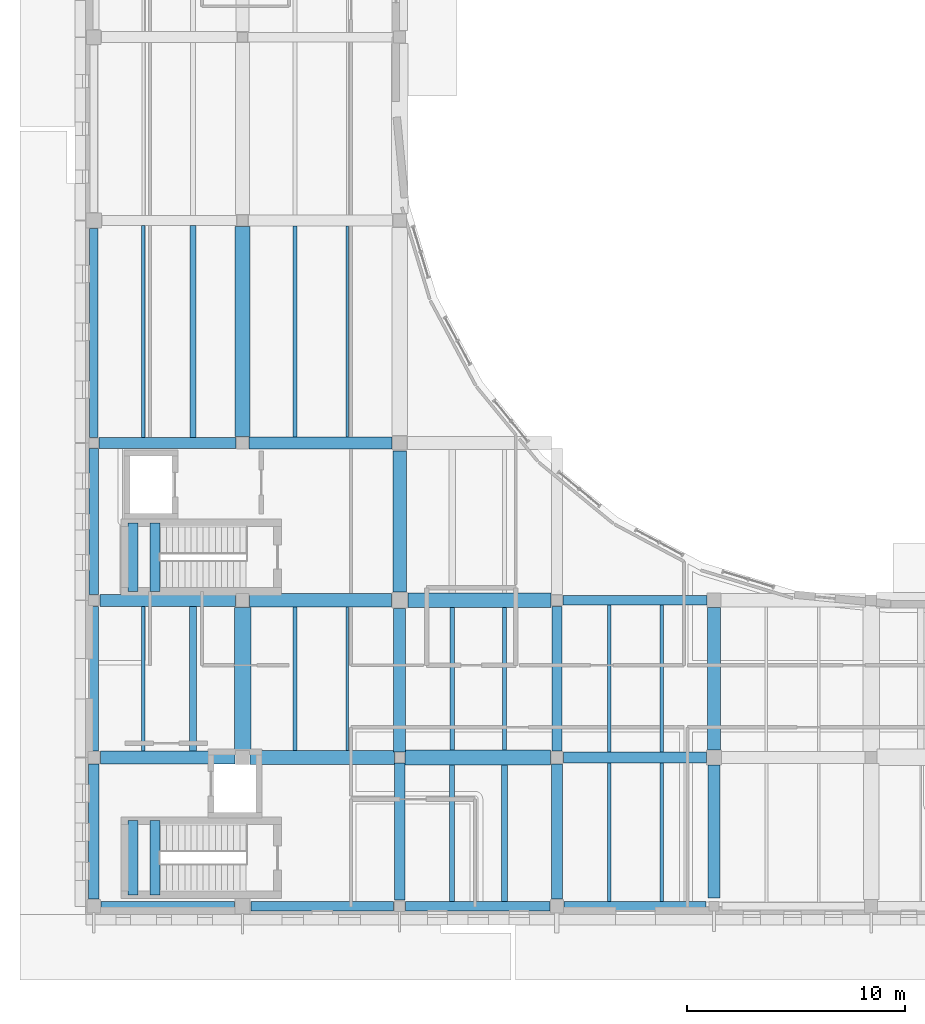
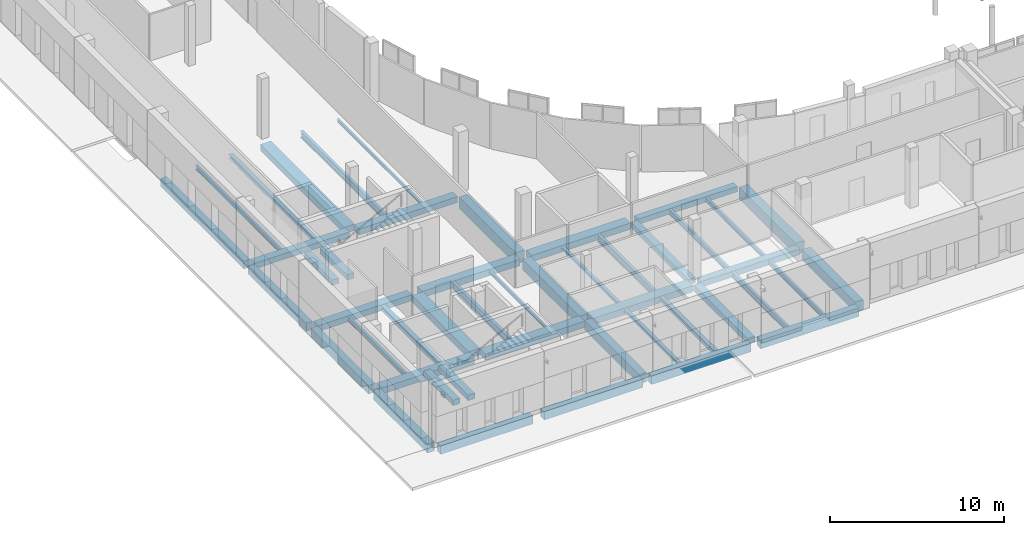
# One storey, part 7 of 77: 47 beams.
"""IFC4 building model written with IfcOpenShell, lengths in metres."""

from ifc_helpers import new_model, si_unit, direction, frame, origin, origin_2d, place, context, subcontext, project, spatial, rectangle, i_section, extrude, material, material_profile, profile_set, type_object, element, save


model = new_model("IFC4")

# Units and contexts
model_context = context("Model", 3, precision=1e-05, world=origin(), true_north=direction((0.0, 1.0)))
body_context = subcontext(model_context, "Body", "Model", "MODEL_VIEW")
ifc_project = project(units=[si_unit("LENGTHUNIT", "METRE"), si_unit("AREAUNIT", "SQUARE_METRE"), si_unit("VOLUMEUNIT", "CUBIC_METRE"), si_unit("PLANEANGLEUNIT", "RADIAN"), si_unit("MASSUNIT", "GRAM", prefix="KILO")], contexts=[model_context])

# Site, building, storey
site_placement = place(None, origin())
site = spatial("IfcSite", under=ifc_project, at=site_placement, CompositionType="ELEMENT")
building_placement = place(site_placement, origin())
building = spatial("IfcBuilding", under=site, at=building_placement, Name="Vardoun Plaza Health Centre", CompositionType="ELEMENT")
storey_placement = place(building_placement, origin())
storey = spatial("IfcBuildingStorey", under=building, at=storey_placement, Name="L00", CompositionType="ELEMENT", Elevation=0.0)

# Beams
ifc_material_1 = material(Name="Concrete C35/45", Category="concrete")
ifc_material_profile_1 = material_profile(ifc_material_1, rectangle(XDim=0.39990234375, YDim=0.550048828125, at=origin_2d()), Name="RC-BM 400x550")
ifc_profile_set_1 = profile_set([ifc_material_profile_1], Name="Concrete C35/45")
beam_type_1 = type_object("IfcBeamType", Name="B-09", PredefinedType="SPANDREL", material=ifc_profile_set_1)
beam_1_placement = place(storey_placement, frame((4.8798828125, 26.35009765625, -0.554931640625), z_axis=(0.0, 1.0, 0.0), x_axis=(-1.0, 0.0, 0.0)))
element("IfcBeam", 1, at=beam_1_placement, inside=storey, type_object=beam_type_1, Name="V2 L00 Beam B-V2-L00-Y37", PredefinedType="SPANDREL", context=body_context, shape_type="SweptSolid", body=[
    extrude(rectangle(XDim=0.39990234375, YDim=0.550048828125, at=origin_2d()), origin(), (0.0, 0.0, 1.0), 9.574951171875),
])
ifc_material_2 = material(Name="Concrete C35/45", Category="concrete")
ifc_material_profile_2 = material_profile(ifc_material_2, rectangle(XDim=0.419921875, YDim=0.580078125, at=origin_2d()), Name="RC-BM 420x580")
ifc_profile_set_2 = profile_set([ifc_material_profile_2], Name="Concrete C35/45")
beam_type_2 = type_object("IfcBeamType", Name="B-10", PredefinedType="SPANDREL", material=ifc_profile_set_2)
beam_2_placement = place(storey_placement, frame((5.205078125, 4.8798828125, -0.570068359375), z_axis=(1.0, 0.0, 0.0), x_axis=(0.0, 1.0, 0.0)))
element("IfcBeam", 2, at=beam_2_placement, inside=storey, type_object=beam_type_2, Name="V2 L00 Beam B-V2-L00-X01", PredefinedType="SPANDREL", context=body_context, shape_type="SweptSolid", body=[
    extrude(rectangle(XDim=0.419921875, YDim=0.580078125, at=origin_2d()), origin(), (0.0, 0.0, 1.0), 6.119873046875),
])
beam_3_placement = place(storey_placement, frame((12.074951171875, 4.8798828125, -0.570068359375), z_axis=(1.0, 0.0, 0.0), x_axis=(0.0, 1.0, 0.0)))
element("IfcBeam", 3, at=beam_3_placement, inside=storey, type_object=beam_type_2, Name="V2 L00 Beam B-V2-L00-X11", PredefinedType="SPANDREL", context=body_context, shape_type="SweptSolid", body=[
    extrude(rectangle(XDim=0.419921875, YDim=0.580078125, at=origin_2d()), origin(), (0.0, 0.0, 1.0), 6.550048828125),
])
beam_4_placement = place(storey_placement, frame((19.175048828125, 4.8798828125, -0.570068359375), z_axis=(1.0, 0.0, 0.0), x_axis=(0.0, 1.0, 0.0)))
element("IfcBeam", 4, at=beam_4_placement, inside=storey, type_object=beam_type_2, Name="V2 L00 Beam B-V2-L00-X21", PredefinedType="SPANDREL", context=body_context, shape_type="SweptSolid", body=[
    extrude(rectangle(XDim=0.419921875, YDim=0.580078125, at=origin_2d()), origin(), (0.0, 0.0, 1.0), 6.599853515625),
])
beam_5_placement = place(storey_placement, frame((4.8798828125, 19.175048828125, -0.570068359375), z_axis=(0.0, 1.0, 0.0), x_axis=(-1.0, 0.0, 0.0)))
element("IfcBeam", 5, at=beam_5_placement, inside=storey, type_object=beam_type_2, Name="V2 L00 Beam B-V2-L00-Y36", PredefinedType="SPANDREL", context=body_context, shape_type="SweptSolid", body=[
    extrude(rectangle(XDim=0.419921875, YDim=0.580078125, at=origin_2d()), origin(), (0.0, 0.0, 1.0), 6.675048828125),
])
ifc_material_3 = material(Name="Concrete C35/45", Category="concrete")
ifc_material_profile_3 = material_profile(ifc_material_3, rectangle(XDim=0.449951171875, YDim=0.3798828125, at=origin_2d()), Name="RC-BM 450x380")
ifc_profile_set_3 = profile_set([ifc_material_profile_3], Name="Concrete C35/45")
beam_type_3 = type_object("IfcBeamType", Name="B-01", PredefinedType="BEAM", material=ifc_profile_set_3)
beam_6_placement = place(storey_placement, frame((26.375, 18.89990234375, -0.469970703125), z_axis=(1.0, 0.0, 0.0), x_axis=(0.0, 1.0, 0.0)))
element("IfcBeam", 6, at=beam_6_placement, inside=storey, type_object=beam_type_3, Name="V2 L00 Beam B-V2-L00-X27", PredefinedType="BEAM", context=body_context, shape_type="SweptSolid", body=[
    extrude(rectangle(XDim=0.449951171875, YDim=0.3798828125, at=origin_2d()), origin(), (0.0, 0.0, 1.0), 6.60009765625),
])
beam_7_placement = place(storey_placement, frame((26.10009765625, 12.0, -0.469970703125), z_axis=(0.0, 1.0, 0.0), x_axis=(-1.0, 0.0, 0.0)))
element("IfcBeam", 7, at=beam_7_placement, inside=storey, type_object=beam_type_3, Name="V2 L00 Beam B-V2-L00-Y60", PredefinedType="BEAM", context=body_context, shape_type="SweptSolid", body=[
    extrude(rectangle(XDim=0.449951171875, YDim=0.3798828125, at=origin_2d()), origin(), (0.0, 0.0, 1.0), 6.625),
])
for number, where, z_axis, x_axis, name in (
    (8, (6.679931640625, 5.39990234375, 1.860107421875), (0.0, 1.0, 0.0), (-1.0, 0.0, 0.0), "Stair ST-C1-L00 Landing Beam 1"),
    (9, (7.679931640625, 5.39990234375, 1.860107421875), (0.0, 1.0, 0.0), (-1.0, 0.0, 0.0), "Stair ST-C1-L00 Landing Beam 2"),
):
    element("IfcBeam", number, at=place(storey_placement, frame(where, z_axis=z_axis, x_axis=x_axis)), inside=storey, type_object=beam_type_3, Name=name, PredefinedType="BEAM", context=body_context, shape_type="SweptSolid", body=[
        extrude(rectangle(XDim=0.449951171875, YDim=0.3798828125, at=origin_2d()), origin(), (0.0, 0.0, 1.0), 3.400146484375),
    ])
for number, where, z_axis, x_axis, name in (
    (10, (6.679931640625, 19.300048828125, 1.860107421875), (0.0, 1.0, 0.0), (-1.0, 0.0, 0.0), "Stair ST-C2-L00 Landing Beam 1"),
    (11, (7.679931640625, 19.300048828125, 1.860107421875), (0.0, 1.0, 0.0), (-1.0, 0.0, 0.0), "Stair ST-C2-L00 Landing Beam 2"),
):
    element("IfcBeam", number, at=place(storey_placement, frame(where, z_axis=z_axis, x_axis=x_axis)), inside=storey, type_object=beam_type_3, Name=name, PredefinedType="BEAM", context=body_context, shape_type="SweptSolid", body=[
        extrude(rectangle(XDim=0.449951171875, YDim=0.3798828125, at=origin_2d()), origin(), (0.0, 0.0, 1.0), 3.14990234375),
    ])
ifc_material_4 = material(Name="Concrete C35/45", Category="concrete")
ifc_material_profile_4 = material_profile(ifc_material_4, rectangle(XDim=0.449951171875, YDim=0.60009765625, at=origin_2d()), Name="RC-BM 450x600")
ifc_profile_set_4 = profile_set([ifc_material_profile_4], Name="Concrete C35/45")
beam_type_4 = type_object("IfcBeamType", Name="B-11", PredefinedType="SPANDREL", material=ifc_profile_set_4)
beam_8_placement = place(storey_placement, frame((26.425048828125, 4.8798828125, -0.580078125), z_axis=(1.0, 0.0, 0.0), x_axis=(0.0, 1.0, 0.0)))
element("IfcBeam", 12, at=beam_8_placement, inside=storey, type_object=beam_type_4, Name="V2 L00 Beam B-V2-L00-X25", PredefinedType="SPANDREL", context=body_context, shape_type="SweptSolid", body=[
    extrude(rectangle(XDim=0.449951171875, YDim=0.60009765625, at=origin_2d()), origin(), (0.0, 0.0, 1.0), 6.5),
])
beam_9_placement = place(storey_placement, frame((4.8798828125, 12.0, -0.580078125), z_axis=(0.0, 1.0, 0.0), x_axis=(-1.0, 0.0, 0.0)))
element("IfcBeam", 13, at=beam_9_placement, inside=storey, type_object=beam_type_4, Name="V2 L00 Beam B-V2-L00-Y35", PredefinedType="SPANDREL", context=body_context, shape_type="SweptSolid", body=[
    extrude(rectangle(XDim=0.449951171875, YDim=0.60009765625, at=origin_2d()), origin(), (0.0, 0.0, 1.0), 6.625),
])
ifc_material_5 = material(Name="Concrete C35/45", Category="concrete")
ifc_material_profile_5 = material_profile(ifc_material_5, rectangle(XDim=0.47998046875, YDim=0.6201171875, at=origin_2d()), Name="RC-BM 480x620")
ifc_profile_set_5 = profile_set([ifc_material_profile_5], Name="Concrete C35/45")
beam_type_5 = type_object("IfcBeamType", Name="B-12", PredefinedType="SPANDREL", material=ifc_profile_set_5)
beam_10_placement = place(storey_placement, frame((4.8798828125, 5.205078125, -0.590087890625), z_axis=(0.0, 1.0, 0.0), x_axis=(-1.0, 0.0, 0.0)))
element("IfcBeam", 14, at=beam_10_placement, inside=storey, type_object=beam_type_5, Name="V2 L00 Beam B-V2-L00-Y34", PredefinedType="SPANDREL", context=body_context, shape_type="SweptSolid", body=[
    extrude(rectangle(XDim=0.47998046875, YDim=0.6201171875, at=origin_2d()), origin(), (0.0, 0.0, 1.0), 6.19482421875),
])
ifc_material_6 = material(Name="Concrete C35/45", Category="concrete")
ifc_material_profile_6 = material_profile(ifc_material_6, rectangle(XDim=0.5, YDim=0.39990234375, at=origin_2d()), Name="RC-BM 500x400")
ifc_profile_set_6 = profile_set([ifc_material_profile_6], Name="Concrete C35/45")
beam_type_6 = type_object("IfcBeamType", Name="B-02", PredefinedType="BEAM", material=ifc_profile_set_6)
beam_11_placement = place(storey_placement, frame((5.1298828125, 26.10009765625, -0.47998046875), z_axis=(1.0, 0.0, 0.0), x_axis=(0.0, 1.0, 0.0)))
element("IfcBeam", 15, at=beam_11_placement, inside=storey, type_object=beam_type_6, Name="V2 L00 Beam B-V2-L00-X04", PredefinedType="BEAM", context=body_context, shape_type="SweptSolid", body=[
    extrude(rectangle(XDim=0.5, YDim=0.39990234375, at=origin_2d()), origin(), (0.0, 0.0, 1.0), 6.27001953125),
])
beam_12_placement = place(storey_placement, frame((26.39990234375, 11.699951171875, -0.47998046875), z_axis=(1.0, 0.0, 0.0), x_axis=(0.0, 1.0, 0.0)))
element("IfcBeam", 16, at=beam_12_placement, inside=storey, type_object=beam_type_6, Name="V2 L00 Beam B-V2-L00-X26", PredefinedType="BEAM", context=body_context, shape_type="SweptSolid", body=[
    extrude(rectangle(XDim=0.5, YDim=0.39990234375, at=origin_2d()), origin(), (0.0, 0.0, 1.0), 6.550048828125),
])
beam_13_placement = place(storey_placement, frame((26.10009765625, 5.205078125, -0.47998046875), z_axis=(0.0, 1.0, 0.0), x_axis=(-1.0, 0.0, 0.0)))
element("IfcBeam", 17, at=beam_13_placement, inside=storey, type_object=beam_type_6, Name="V2 L00 Beam B-V2-L00-Y59", PredefinedType="BEAM", context=body_context, shape_type="SweptSolid", body=[
    extrude(rectangle(XDim=0.5, YDim=0.39990234375, at=origin_2d()), origin(), (0.0, 0.0, 1.0), 6.19482421875),
])
ifc_material_7 = material(Name="Concrete C40/50", Category="concrete")
ifc_material_profile_7 = material_profile(ifc_material_7, rectangle(XDim=0.5, YDim=0.64990234375, at=origin_2d()), Name="RC-BM 500x650")
ifc_profile_set_7 = profile_set([ifc_material_profile_7], Name="Concrete C40/50")
beam_type_7 = type_object("IfcBeamType", Name="B-13", PredefinedType="BEAM", material=ifc_profile_set_7)
beam_14_placement = place(storey_placement, frame((18.89990234375, 5.155029296875, -0.60498046875), z_axis=(0.0, 1.0, 0.0), x_axis=(-1.0, 0.0, 0.0)))
element("IfcBeam", 18, at=beam_14_placement, inside=storey, type_object=beam_type_7, Name="V2 L00 Beam B-V2-L00-Y50", PredefinedType="BEAM", context=body_context, shape_type="SweptSolid", body=[
    extrude(rectangle(XDim=0.5, YDim=0.64990234375, at=origin_2d()), origin(), (0.0, 0.0, 1.0), 6.294921875),
])
ifc_material_8 = material(Name="Concrete C35/45", Category="concrete")
ifc_material_profile_8 = material_profile(ifc_material_8, rectangle(XDim=0.550048828125, YDim=0.419921875, at=origin_2d()), Name="RC-BM 550x420")
ifc_profile_set_8 = profile_set([ifc_material_profile_8], Name="Concrete C35/45")
beam_type_8 = type_object("IfcBeamType", Name="B-03", PredefinedType="BEAM", material=ifc_profile_set_8)
beam_15_placement = place(storey_placement, frame((5.155029296875, 18.89990234375, -0.489990234375), z_axis=(1.0, 0.0, 0.0), x_axis=(0.0, 1.0, 0.0)))
element("IfcBeam", 19, at=beam_15_placement, inside=storey, type_object=beam_type_8, Name="V2 L00 Beam B-V2-L00-X03", PredefinedType="BEAM", context=body_context, shape_type="SweptSolid", body=[
    extrude(rectangle(XDim=0.550048828125, YDim=0.419921875, at=origin_2d()), origin(), (0.0, 0.0, 1.0), 6.219970703125),
])
beam_16_placement = place(storey_placement, frame((12.0, 26.10009765625, -0.489990234375), z_axis=(1.0, 0.0, 0.0), x_axis=(0.0, 1.0, 0.0)))
element("IfcBeam", 20, at=beam_16_placement, inside=storey, type_object=beam_type_8, Name="V2 L00 Beam B-V2-L00-X14", PredefinedType="BEAM", context=body_context, shape_type="SweptSolid", body=[
    extrude(rectangle(XDim=0.550048828125, YDim=0.419921875, at=origin_2d()), origin(), (0.0, 0.0, 1.0), 6.550048828125),
])
ifc_material_9 = material(Name="Concrete C40/50", Category="concrete")
ifc_material_profile_9 = material_profile(ifc_material_9, rectangle(XDim=0.550048828125, YDim=0.719970703125, at=origin_2d()), Name="RC-BM 550x720")
ifc_profile_set_9 = profile_set([ifc_material_profile_9], Name="Concrete C40/50")
beam_type_9 = type_object("IfcBeamType", Name="B-14", PredefinedType="BEAM", material=ifc_profile_set_9)
beam_17_placement = place(storey_placement, frame((18.89990234375, 11.949951171875, -0.639892578125), z_axis=(0.0, 1.0, 0.0), x_axis=(-1.0, 0.0, 0.0)))
element("IfcBeam", 21, at=beam_17_placement, inside=storey, type_object=beam_type_9, Name="V2 L00 Beam B-V2-L00-Y51", PredefinedType="BEAM", context=body_context, shape_type="SweptSolid", body=[
    extrude(rectangle(XDim=0.550048828125, YDim=0.719970703125, at=origin_2d()), origin(), (0.0, 0.0, 1.0), 6.574951171875),
])
beam_18_placement = place(storey_placement, frame((33.300048828125, 5.2548828125, -0.639892578125), z_axis=(0.0, 1.0, 0.0), x_axis=(-1.0, 0.0, 0.0)))
element("IfcBeam", 22, at=beam_18_placement, inside=storey, type_object=beam_type_9, Name="V2 L00 Beam B-V2-L00-Y62", PredefinedType="BEAM", context=body_context, shape_type="SweptSolid", body=[
    extrude(rectangle(XDim=0.550048828125, YDim=0.719970703125, at=origin_2d()), origin(), (0.0, 0.0, 1.0), 6.09521484375),
])
ifc_material_10 = material(Name="Concrete C35/45", Category="concrete")
ifc_material_profile_10 = material_profile(ifc_material_10, rectangle(XDim=0.60009765625, YDim=0.449951171875, at=origin_2d()), Name="RC-BM 600x450")
ifc_profile_set_10 = profile_set([ifc_material_profile_10], Name="Concrete C35/45")
beam_type_10 = type_object("IfcBeamType", Name="B-04", PredefinedType="BEAM", material=ifc_profile_set_10)
beam_19_placement = place(storey_placement, frame((5.179931640625, 11.699951171875, -0.5048828125), z_axis=(1.0, 0.0, 0.0), x_axis=(0.0, 1.0, 0.0)))
element("IfcBeam", 23, at=beam_19_placement, inside=storey, type_object=beam_type_10, Name="V2 L00 Beam B-V2-L00-X02", PredefinedType="BEAM", context=body_context, shape_type="SweptSolid", body=[
    extrude(rectangle(XDim=0.60009765625, YDim=0.449951171875, at=origin_2d()), origin(), (0.0, 0.0, 1.0), 6.170166015625),
])
beam_20_placement = place(storey_placement, frame((12.02490234375, 18.89990234375, -0.5048828125), z_axis=(1.0, 0.0, 0.0), x_axis=(0.0, 1.0, 0.0)))
element("IfcBeam", 24, at=beam_20_placement, inside=storey, type_object=beam_type_10, Name="V2 L00 Beam B-V2-L00-X13", PredefinedType="BEAM", context=body_context, shape_type="SweptSolid", body=[
    extrude(rectangle(XDim=0.60009765625, YDim=0.449951171875, at=origin_2d()), origin(), (0.0, 0.0, 1.0), 6.5),
])
ifc_material_11 = material(Name="Concrete C40/50", Category="concrete")
ifc_material_profile_11 = material_profile(ifc_material_11, rectangle(XDim=0.60009765625, YDim=0.800048828125, at=origin_2d()), Name="RC-BM 600x800")
ifc_profile_set_11 = profile_set([ifc_material_profile_11], Name="Concrete C40/50")
beam_type_11 = type_object("IfcBeamType", Name="B-15", PredefinedType="JOIST", material=ifc_profile_set_11)
beam_21_placement = place(storey_placement, frame((18.89990234375, 19.27490234375, -0.679931640625), z_axis=(0.0, 1.0, 0.0), x_axis=(-1.0, 0.0, 0.0)))
element("IfcBeam", 25, at=beam_21_placement, inside=storey, type_object=beam_type_11, Name="V2 L00 Beam B-V2-L00-Y52", PredefinedType="JOIST", context=body_context, shape_type="SweptSolid", body=[
    extrude(rectangle(XDim=0.60009765625, YDim=0.800048828125, at=origin_2d()), origin(), (0.0, 0.0, 1.0), 6.47509765625),
])
beam_22_placement = place(storey_placement, frame((33.300048828125, 12.050048828125, -0.679931640625), z_axis=(0.0, 1.0, 0.0), x_axis=(-1.0, 0.0, 0.0)))
element("IfcBeam", 26, at=beam_22_placement, inside=storey, type_object=beam_type_11, Name="V2 L00 Beam B-V2-L00-Y63", PredefinedType="JOIST", context=body_context, shape_type="SweptSolid", body=[
    extrude(rectangle(XDim=0.60009765625, YDim=0.800048828125, at=origin_2d()), origin(), (0.0, 0.0, 1.0), 6.52490234375),
])
ifc_material_12 = material(Name="Concrete C35/45", Category="concrete")
ifc_material_profile_12 = material_profile(ifc_material_12, rectangle(XDim=0.64990234375, YDim=0.449951171875, at=origin_2d()), Name="RC-BM 650x450")
ifc_profile_set_12 = profile_set([ifc_material_profile_12], Name="Concrete C35/45")
beam_type_12 = type_object("IfcBeamType", Name="B-05", PredefinedType="BEAM", material=ifc_profile_set_12)
beam_23_placement = place(storey_placement, frame((12.050048828125, 11.699951171875, -0.5048828125), z_axis=(1.0, 0.0, 0.0), x_axis=(0.0, 1.0, 0.0)))
element("IfcBeam", 27, at=beam_23_placement, inside=storey, type_object=beam_type_12, Name="V2 L00 Beam B-V2-L00-X12", PredefinedType="BEAM", context=body_context, shape_type="SweptSolid", body=[
    extrude(rectangle(XDim=0.64990234375, YDim=0.449951171875, at=origin_2d()), origin(), (0.0, 0.0, 1.0), 6.599853515625),
])
beam_24_placement = place(storey_placement, frame((19.27490234375, 18.89990234375, -0.5048828125), z_axis=(1.0, 0.0, 0.0), x_axis=(0.0, 1.0, 0.0)))
element("IfcBeam", 28, at=beam_24_placement, inside=storey, type_object=beam_type_12, Name="V2 L00 Beam B-V2-L00-X23", PredefinedType="BEAM", context=body_context, shape_type="SweptSolid", body=[
    extrude(rectangle(XDim=0.64990234375, YDim=0.449951171875, at=origin_2d()), origin(), (0.0, 0.0, 1.0), 6.550048828125),
])
ifc_material_13 = material(Name="Concrete C35/45", Category="concrete")
ifc_material_profile_13 = material_profile(ifc_material_13, rectangle(XDim=0.699951171875, YDim=0.449951171875, at=origin_2d()), Name="RC-BM 700x450")
ifc_profile_set_13 = profile_set([ifc_material_profile_13], Name="Concrete C35/45")
beam_type_13 = type_object("IfcBeamType", Name="B-06", PredefinedType="BEAM", material=ifc_profile_set_13)
beam_25_placement = place(storey_placement, frame((19.14990234375, 11.699951171875, -0.5048828125), z_axis=(1.0, 0.0, 0.0), x_axis=(0.0, 1.0, 0.0)))
element("IfcBeam", 29, at=beam_25_placement, inside=storey, type_object=beam_type_13, Name="V2 L00 Beam B-V2-L00-X22", PredefinedType="BEAM", context=body_context, shape_type="SweptSolid", body=[
    extrude(rectangle(XDim=0.699951171875, YDim=0.449951171875, at=origin_2d()), origin(), (0.0, 0.0, 1.0), 6.650146484375),
])
beam_26_placement = place(storey_placement, frame((11.699951171875, 26.39990234375, -0.5048828125), z_axis=(0.0, 1.0, 0.0), x_axis=(-1.0, 0.0, 0.0)))
element("IfcBeam", 30, at=beam_26_placement, inside=storey, type_object=beam_type_13, Name="V2 L00 Beam B-V2-L00-Y44", PredefinedType="BEAM", context=body_context, shape_type="SweptSolid", body=[
    extrude(rectangle(XDim=0.699951171875, YDim=0.449951171875, at=origin_2d()), origin(), (0.0, 0.0, 1.0), 9.625244140625),
])
ifc_material_14 = material(Name="Concrete C35/45", Category="concrete")
ifc_material_profile_14 = material_profile(ifc_material_14, rectangle(XDim=0.75, YDim=0.47998046875, at=origin_2d()), Name="RC-BM 750x480")
ifc_profile_set_14 = profile_set([ifc_material_profile_14], Name="Concrete C35/45")
beam_type_14 = type_object("IfcBeamType", Name="B-07", PredefinedType="BEAM", material=ifc_profile_set_14)
beam_27_placement = place(storey_placement, frame((11.699951171875, 12.050048828125, -0.52001953125), z_axis=(0.0, 1.0, 0.0), x_axis=(-1.0, 0.0, 0.0)))
element("IfcBeam", 31, at=beam_27_placement, inside=storey, type_object=beam_type_14, Name="V2 L00 Beam B-V2-L00-Y43", PredefinedType="BEAM", context=body_context, shape_type="SweptSolid", body=[
    extrude(rectangle(XDim=0.75, YDim=0.47998046875, at=origin_2d()), origin(), (0.0, 0.0, 1.0), 6.52490234375),
])
ifc_material_15 = material(Name="Steel S355J2", Category="steel")
ifc_material_profile_15 = material_profile(ifc_material_15, i_section(OverallWidth=0.199951171875, OverallDepth=0.18994140625, WebThickness=0.006591796875, FlangeThickness=0.010009765625, FilletRadius=0.01806640625, at=origin_2d()), Name="HEA 200")
ifc_profile_set_15 = profile_set([ifc_material_profile_15], Name="Steel S355J2")
beam_type_15 = type_object("IfcBeamType", Name="SB-09", PredefinedType="BEAM", material=ifc_profile_set_15)
beam_28_placement = place(storey_placement, frame((21.2998046875, 12.050048828125, -0.375), z_axis=(0.0, 1.0, 0.0), x_axis=(-1.0, 0.0, 0.0)))
element("IfcBeam", 32, at=beam_28_placement, inside=storey, type_object=beam_type_15, Name="V2 L00 Secondary Floor Beam SJ-V2-L00-30", PredefinedType="BEAM", context=body_context, shape_type="SweptSolid", body=[
    extrude(i_section(OverallWidth=0.199951171875, OverallDepth=0.18994140625, WebThickness=0.006591796875, FlangeThickness=0.010009765625, FilletRadius=0.01806640625, at=origin_2d()), origin(), (0.0, 0.0, 1.0), 6.52490234375),
])
ifc_material_16 = material(Name="Steel S355J2", Category="steel")
ifc_material_profile_16 = material_profile(ifc_material_16, i_section(OverallWidth=0.219970703125, OverallDepth=0.2099609375, WebThickness=0.007080078125, FlangeThickness=0.010986328125, FilletRadius=0.01806640625, at=origin_2d()), Name="HEA 220")
ifc_profile_set_16 = profile_set([ifc_material_profile_16], Name="Steel S355J2")
beam_type_16 = type_object("IfcBeamType", Name="SB-08", PredefinedType="BEAM", material=ifc_profile_set_16)
beam_29_placement = place(storey_placement, frame((21.2998046875, 5.090087890625, -0.385009765625), z_axis=(0.0, 1.0, 0.0), x_axis=(-1.0, 0.0, 0.0)))
element("IfcBeam", 33, at=beam_29_placement, inside=storey, type_object=beam_type_16, Name="V2 L00 Secondary Floor Beam SJ-V2-L00-29", PredefinedType="BEAM", context=body_context, shape_type="SweptSolid", body=[
    extrude(i_section(OverallWidth=0.219970703125, OverallDepth=0.2099609375, WebThickness=0.007080078125, FlangeThickness=0.010986328125, FilletRadius=0.01806640625, at=origin_2d()), origin(), (0.0, 0.0, 1.0), 6.260009765625),
])
ifc_material_17 = material(Name="Steel S355J2", Category="steel")
ifc_material_profile_17 = material_profile(ifc_material_17, i_section(OverallWidth=0.280029296875, OverallDepth=0.27001953125, WebThickness=0.008056640625, FlangeThickness=0.012939453125, FilletRadius=0.02392578125, at=origin_2d()), Name="HEA 280")
ifc_profile_set_17 = profile_set([ifc_material_profile_17], Name="Steel S355J2")
beam_type_17 = type_object("IfcBeamType", Name="SB-06", PredefinedType="BEAM", material=ifc_profile_set_17)
beam_30_placement = place(storey_placement, frame((9.427001953125, 26.35009765625, -0.4150390625), z_axis=(0.0, 1.0, 0.0), x_axis=(-1.0, 0.0, 0.0)))
element("IfcBeam", 34, at=beam_30_placement, inside=storey, type_object=beam_type_17, Name="V2 L00 Secondary Floor Beam SJ-V2-L00-09", PredefinedType="BEAM", context=body_context, shape_type="SweptSolid", body=[
    extrude(i_section(OverallWidth=0.280029296875, OverallDepth=0.27001953125, WebThickness=0.008056640625, FlangeThickness=0.012939453125, FilletRadius=0.02392578125, at=origin_2d()), origin(), (0.0, 0.0, 1.0), 9.724853515625),
])
ifc_material_18 = material(Name="Steel S355J2", Category="steel")
ifc_material_profile_18 = material_profile(ifc_material_18, i_section(OverallWidth=0.300048828125, OverallDepth=0.330078125, WebThickness=0.009521484375, FlangeThickness=0.0166015625, FilletRadius=0.027099609375, at=origin_2d()), Name="HEA 340")
ifc_profile_set_18 = profile_set([ifc_material_profile_18], Name="Steel S355J2")
beam_type_18 = type_object("IfcBeamType", Name="SB-04", PredefinedType="BEAM", material=ifc_profile_set_18)
beam_31_placement = place(storey_placement, frame((9.427001953125, 12.0, -0.445068359375), z_axis=(0.0, 1.0, 0.0), x_axis=(-1.0, 0.0, 0.0)))
element("IfcBeam", 35, at=beam_31_placement, inside=storey, type_object=beam_type_18, Name="V2 L00 Secondary Floor Beam SJ-V2-L00-08", PredefinedType="BEAM", context=body_context, shape_type="SweptSolid", body=[
    extrude(i_section(OverallWidth=0.300048828125, OverallDepth=0.330078125, WebThickness=0.009521484375, FlangeThickness=0.0166015625, FilletRadius=0.027099609375, at=origin_2d()), origin(), (0.0, 0.0, 1.0), 6.625),
])
ifc_material_19 = material(Name="Steel S355J2", Category="steel")
ifc_material_profile_19 = material_profile(ifc_material_19, i_section(OverallWidth=0.280029296875, OverallDepth=0.280029296875, WebThickness=0.010498046875, FlangeThickness=0.01806640625, FilletRadius=0.02392578125, at=origin_2d()), Name="HEB 280")
ifc_profile_set_19 = profile_set([ifc_material_profile_19], Name="Steel S355J2")
beam_type_19 = type_object("IfcBeamType", Name="SB-02", PredefinedType="BEAM", material=ifc_profile_set_19)
beam_32_placement = place(storey_placement, frame((23.7001953125, 5.090087890625, -0.419921875), z_axis=(0.0, 1.0, 0.0), x_axis=(-1.0, 0.0, 0.0)))
element("IfcBeam", 36, at=beam_32_placement, inside=storey, type_object=beam_type_19, Name="V2 L00 Secondary Floor Beam SJ-V2-L00-32", PredefinedType="BEAM", context=body_context, shape_type="SweptSolid", body=[
    extrude(i_section(OverallWidth=0.280029296875, OverallDepth=0.280029296875, WebThickness=0.010498046875, FlangeThickness=0.01806640625, FilletRadius=0.02392578125, at=origin_2d()), origin(), (0.0, 0.0, 1.0), 6.260009765625),
])
ifc_material_20 = material(Name="Steel S355J2", Category="steel")
ifc_material_profile_20 = material_profile(ifc_material_20, i_section(OverallWidth=0.110107421875, OverallDepth=0.219970703125, WebThickness=0.005859375, FlangeThickness=0.00927734375, FilletRadius=0.011962890625, at=origin_2d()), Name="IPE 220")
ifc_profile_set_20 = profile_set([ifc_material_profile_20], Name="Steel S355J2")
beam_type_20 = type_object("IfcBeamType", Name="SB-18", PredefinedType="JOIST", material=ifc_profile_set_20)
beam_33_placement = place(storey_placement, frame((16.500244140625, 26.375, -0.389892578125), z_axis=(0.0, 1.0, 0.0), x_axis=(-1.0, 0.0, 0.0)))
element("IfcBeam", 37, at=beam_33_placement, inside=storey, type_object=beam_type_20, Name="V2 L00 Secondary Floor Beam SJ-V2-L00-23", PredefinedType="JOIST", context=body_context, shape_type="SweptSolid", body=[
    extrude(i_section(OverallWidth=0.110107421875, OverallDepth=0.219970703125, WebThickness=0.005859375, FlangeThickness=0.00927734375, FilletRadius=0.011962890625, at=origin_2d()), origin(), (0.0, 0.0, 1.0), 9.675048828125),
])
ifc_material_21 = material(Name="Steel S355J2", Category="steel")
ifc_material_profile_21 = material_profile(ifc_material_21, i_section(OverallWidth=0.1201171875, OverallDepth=0.239990234375, WebThickness=0.006103515625, FlangeThickness=0.009765625, FilletRadius=0.014892578125, at=origin_2d()), Name="IPE 240")
ifc_profile_set_21 = profile_set([ifc_material_profile_21], Name="Steel S355J2")
beam_type_21 = type_object("IfcBeamType", Name="SB-17", PredefinedType="JOIST", material=ifc_profile_set_21)
beam_34_placement = place(storey_placement, frame((16.500244140625, 12.02490234375, -0.39990234375), z_axis=(0.0, 1.0, 0.0), x_axis=(-1.0, 0.0, 0.0)))
element("IfcBeam", 38, at=beam_34_placement, inside=storey, type_object=beam_type_21, Name="V2 L00 Secondary Floor Beam SJ-V2-L00-22", PredefinedType="JOIST", context=body_context, shape_type="SweptSolid", body=[
    extrude(i_section(OverallWidth=0.1201171875, OverallDepth=0.239990234375, WebThickness=0.006103515625, FlangeThickness=0.009765625, FilletRadius=0.014892578125, at=origin_2d()), origin(), (0.0, 0.0, 1.0), 6.5751953125),
])
ifc_material_22 = material(Name="Steel S355J2", Category="steel")
ifc_material_profile_22 = material_profile(ifc_material_22, i_section(OverallWidth=0.14990234375, OverallDepth=0.300048828125, WebThickness=0.007080078125, FlangeThickness=0.0107421875, FilletRadius=0.014892578125, at=origin_2d()), Name="IPE 300")
ifc_profile_set_22 = profile_set([ifc_material_profile_22], Name="Steel S355J2")
beam_type_22 = type_object("IfcBeamType", Name="SB-15", PredefinedType="JOIST", material=ifc_profile_set_22)
beam_35_placement = place(storey_placement, frame((7.153076171875, 26.35009765625, -0.429931640625), z_axis=(0.0, 1.0, 0.0), x_axis=(-1.0, 0.0, 0.0)))
element("IfcBeam", 39, at=beam_35_placement, inside=storey, type_object=beam_type_22, Name="V2 L00 Secondary Floor Beam SJ-V2-L00-02", PredefinedType="JOIST", context=body_context, shape_type="SweptSolid", body=[
    extrude(i_section(OverallWidth=0.14990234375, OverallDepth=0.300048828125, WebThickness=0.007080078125, FlangeThickness=0.0107421875, FilletRadius=0.014892578125, at=origin_2d()), origin(), (0.0, 0.0, 1.0), 9.724853515625),
])
beam_36_placement = place(storey_placement, frame((30.900146484375, 11.949951171875, -0.429931640625), z_axis=(0.0, 1.0, 0.0), x_axis=(-1.0, 0.0, 0.0)))
element("IfcBeam", 40, at=beam_36_placement, inside=storey, type_object=beam_type_22, Name="V2 L00 Secondary Floor Beam SJ-V2-L00-38", PredefinedType="JOIST", context=body_context, shape_type="SweptSolid", body=[
    extrude(i_section(OverallWidth=0.14990234375, OverallDepth=0.300048828125, WebThickness=0.007080078125, FlangeThickness=0.0107421875, FilletRadius=0.014892578125, at=origin_2d()), origin(), (0.0, 0.0, 1.0), 6.72509765625),
])
ifc_material_23 = material(Name="Steel S355J2", Category="steel")
ifc_material_profile_23 = material_profile(ifc_material_23, i_section(OverallWidth=0.159912109375, OverallDepth=0.330078125, WebThickness=0.007568359375, FlangeThickness=0.011474609375, FilletRadius=0.01806640625, at=origin_2d()), Name="IPE 330")
ifc_profile_set_23 = profile_set([ifc_material_profile_23], Name="Steel S355J2")
beam_type_23 = type_object("IfcBeamType", Name="SB-14", PredefinedType="JOIST", material=ifc_profile_set_23)
beam_37_placement = place(storey_placement, frame((7.153076171875, 12.0, -0.445068359375), z_axis=(0.0, 1.0, 0.0), x_axis=(-1.0, 0.0, 0.0)))
element("IfcBeam", 41, at=beam_37_placement, inside=storey, type_object=beam_type_23, Name="V2 L00 Secondary Floor Beam SJ-V2-L00-01", PredefinedType="JOIST", context=body_context, shape_type="SweptSolid", body=[
    extrude(i_section(OverallWidth=0.159912109375, OverallDepth=0.330078125, WebThickness=0.007568359375, FlangeThickness=0.011474609375, FilletRadius=0.01806640625, at=origin_2d()), origin(), (0.0, 0.0, 1.0), 6.625),
])
beam_38_placement = place(storey_placement, frame((30.900146484375, 5.10498046875, -0.445068359375), z_axis=(0.0, 1.0, 0.0), x_axis=(-1.0, 0.0, 0.0)))
element("IfcBeam", 42, at=beam_38_placement, inside=storey, type_object=beam_type_23, Name="V2 L00 Secondary Floor Beam SJ-V2-L00-37", PredefinedType="JOIST", context=body_context, shape_type="SweptSolid", body=[
    extrude(i_section(OverallWidth=0.159912109375, OverallDepth=0.330078125, WebThickness=0.007568359375, FlangeThickness=0.011474609375, FilletRadius=0.01806640625, at=origin_2d()), origin(), (0.0, 0.0, 1.0), 6.344970703125),
])
ifc_material_24 = material(Name="Steel S355J2", Category="steel")
ifc_material_profile_24 = material_profile(ifc_material_24, i_section(OverallWidth=0.169921875, OverallDepth=0.360107421875, WebThickness=0.008056640625, FlangeThickness=0.0126953125, FilletRadius=0.01806640625, at=origin_2d()), Name="IPE 360")
ifc_profile_set_24 = profile_set([ifc_material_profile_24], Name="Steel S355J2")
beam_type_24 = type_object("IfcBeamType", Name="SB-13", PredefinedType="JOIST", material=ifc_profile_set_24)
beam_39_placement = place(storey_placement, frame((28.499755859375, 11.949951171875, -0.4599609375), z_axis=(0.0, 1.0, 0.0), x_axis=(-1.0, 0.0, 0.0)))
element("IfcBeam", 43, at=beam_39_placement, inside=storey, type_object=beam_type_24, Name="V2 L00 Secondary Floor Beam SJ-V2-L00-36", PredefinedType="JOIST", context=body_context, shape_type="SweptSolid", body=[
    extrude(i_section(OverallWidth=0.169921875, OverallDepth=0.360107421875, WebThickness=0.008056640625, FlangeThickness=0.0126953125, FilletRadius=0.01806640625, at=origin_2d()), origin(), (0.0, 0.0, 1.0), 6.72509765625),
])
ifc_material_25 = material(Name="Steel S355J2", Category="steel")
ifc_material_profile_25 = material_profile(ifc_material_25, i_section(OverallWidth=0.179931640625, OverallDepth=0.39990234375, WebThickness=0.008544921875, FlangeThickness=0.013427734375, FilletRadius=0.02099609375, at=origin_2d()), Name="IPE 400")
ifc_profile_set_25 = profile_set([ifc_material_profile_25], Name="Steel S355J2")
beam_type_25 = type_object("IfcBeamType", Name="SB-12", PredefinedType="BEAM", material=ifc_profile_set_25)
beam_40_placement = place(storey_placement, frame((28.499755859375, 5.10498046875, -0.47998046875), z_axis=(0.0, 1.0, 0.0), x_axis=(-1.0, 0.0, 0.0)))
element("IfcBeam", 44, at=beam_40_placement, inside=storey, type_object=beam_type_25, Name="V2 L00 Secondary Floor Beam SJ-V2-L00-35", PredefinedType="BEAM", context=body_context, shape_type="SweptSolid", body=[
    extrude(i_section(OverallWidth=0.179931640625, OverallDepth=0.39990234375, WebThickness=0.008544921875, FlangeThickness=0.013427734375, FilletRadius=0.02099609375, at=origin_2d()), origin(), (0.0, 0.0, 1.0), 6.344970703125),
])
ifc_material_26 = material(Name="Steel S355J2", Category="steel")
ifc_material_profile_26 = material_profile(ifc_material_26, i_section(OverallWidth=0.18994140625, OverallDepth=0.449951171875, WebThickness=0.009521484375, FlangeThickness=0.0146484375, FilletRadius=0.02099609375, at=origin_2d()), Name="IPE 450")
ifc_profile_set_26 = profile_set([ifc_material_profile_26], Name="Steel S355J2")
beam_type_26 = type_object("IfcBeamType", Name="SB-11", PredefinedType="BEAM", material=ifc_profile_set_26)
beam_41_placement = place(storey_placement, frame((14.099853515625, 26.375, -0.5048828125), z_axis=(0.0, 1.0, 0.0), x_axis=(-1.0, 0.0, 0.0)))
element("IfcBeam", 45, at=beam_41_placement, inside=storey, type_object=beam_type_26, Name="V2 L00 Secondary Floor Beam SJ-V2-L00-16", PredefinedType="BEAM", context=body_context, shape_type="SweptSolid", body=[
    extrude(i_section(OverallWidth=0.18994140625, OverallDepth=0.449951171875, WebThickness=0.009521484375, FlangeThickness=0.0146484375, FilletRadius=0.02099609375, at=origin_2d()), origin(), (0.0, 0.0, 1.0), 9.675048828125),
])
ifc_material_27 = material(Name="Steel S355J2", Category="steel")
ifc_material_profile_27 = material_profile(ifc_material_27, i_section(OverallWidth=0.199951171875, OverallDepth=0.5, WebThickness=0.01025390625, FlangeThickness=0.01611328125, FilletRadius=0.02099609375, at=origin_2d()), Name="IPE 500")
ifc_profile_set_27 = profile_set([ifc_material_profile_27], Name="Steel S355J2")
beam_type_27 = type_object("IfcBeamType", Name="SB-10", PredefinedType="BEAM", material=ifc_profile_set_27)
beam_42_placement = place(storey_placement, frame((14.099853515625, 12.02490234375, -0.530029296875), z_axis=(0.0, 1.0, 0.0), x_axis=(-1.0, 0.0, 0.0)))
element("IfcBeam", 46, at=beam_42_placement, inside=storey, type_object=beam_type_27, Name="V2 L00 Secondary Floor Beam SJ-V2-L00-15", PredefinedType="BEAM", context=body_context, shape_type="SweptSolid", body=[
    extrude(i_section(OverallWidth=0.199951171875, OverallDepth=0.5, WebThickness=0.01025390625, FlangeThickness=0.01611328125, FilletRadius=0.02099609375, at=origin_2d()), origin(), (0.0, 0.0, 1.0), 6.5751953125),
])
beam_43_placement = place(storey_placement, frame((23.7001953125, 12.050048828125, -0.530029296875), z_axis=(0.0, 1.0, 0.0), x_axis=(-1.0, 0.0, 0.0)))
element("IfcBeam", 47, at=beam_43_placement, inside=storey, type_object=beam_type_27, Name="V2 L00 Secondary Floor Beam SJ-V2-L00-33", PredefinedType="BEAM", context=body_context, shape_type="SweptSolid", body=[
    extrude(i_section(OverallWidth=0.199951171875, OverallDepth=0.5, WebThickness=0.01025390625, FlangeThickness=0.01611328125, FilletRadius=0.02099609375, at=origin_2d()), origin(), (0.0, 0.0, 1.0), 6.52490234375),
])

save(model, "model.ifc")
